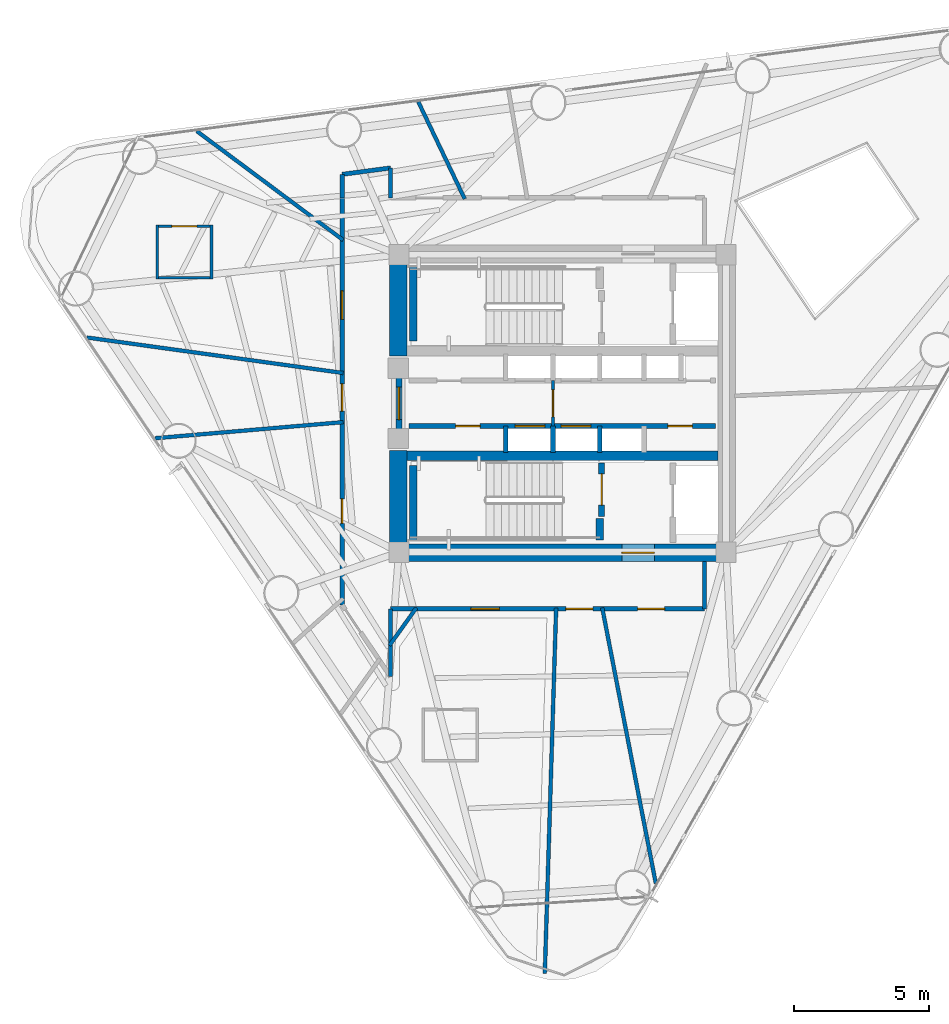
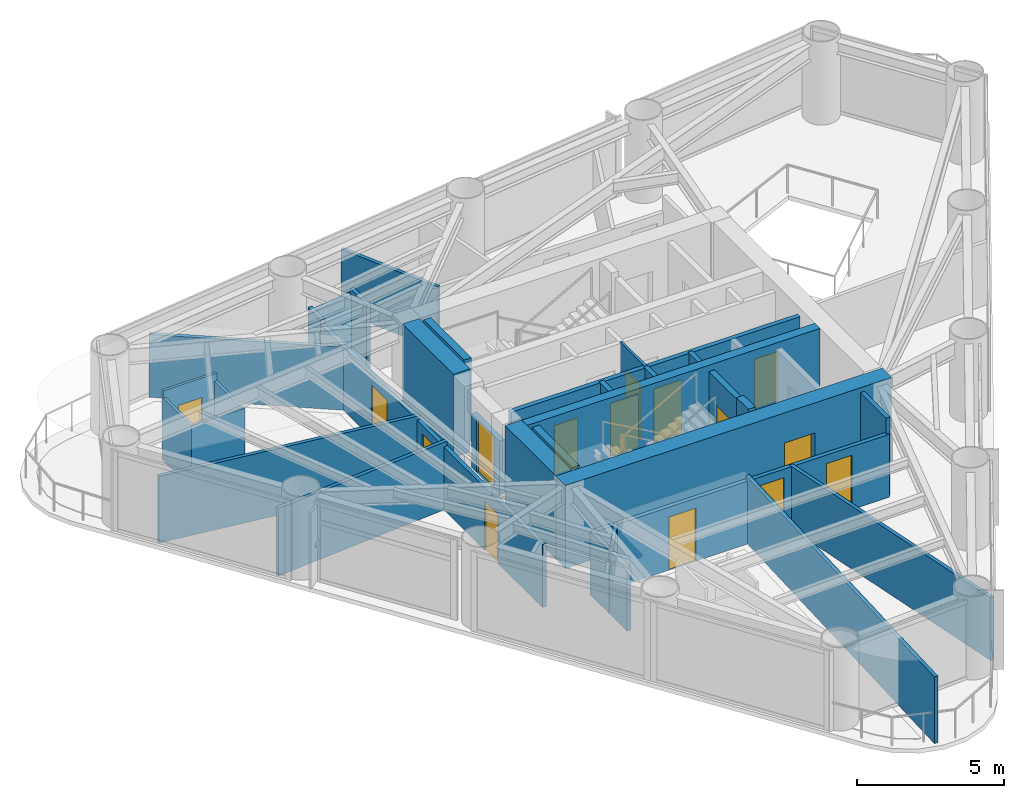
# One storey, part 5 of 9: 32 walls, 15 doors, 15 openings.
"""IFC4 building model written with IfcOpenShell, lengths in metres."""

from ifc_helpers import new_model, si_unit, direction, frame, frame_2d, origin, place, context, subcontext, project, spatial, rectangle, extrude, material, layer, layer_set, type_object, element, fill, save


model = new_model("IFC4")

# Units and contexts
model_context = context("Model", 3, precision=1e-05, world=origin(), true_north=direction((0.0, 1.0)))
body_context = subcontext(model_context, "Body", "Model", "MODEL_VIEW")
ifc_project = project(units=[si_unit("LENGTHUNIT", "METRE"), si_unit("AREAUNIT", "SQUARE_METRE"), si_unit("VOLUMEUNIT", "CUBIC_METRE"), si_unit("PLANEANGLEUNIT", "RADIAN"), si_unit("MASSUNIT", "GRAM", prefix="KILO")], contexts=[model_context])

# Site, building, storey
site_placement = place(None, origin())
site = spatial("IfcSite", under=ifc_project, at=site_placement, CompositionType="ELEMENT")
building_placement = place(site_placement, origin())
building = spatial("IfcBuilding", under=site, at=building_placement, Name="Yunling Apex Tower", CompositionType="ELEMENT")
storey_placement = place(building_placement, frame((0.0, 0.0, 179.449951171875)))
storey = spatial("IfcBuildingStorey", under=building, at=storey_placement, Name="L44", CompositionType="ELEMENT", Elevation=179.449951171875)

# Wall, opening, door
ifc_material_1 = material(Name="Concrete C50", Category="concrete")
ifc_layer_1 = layer(ifc_material_1, 0.64990234375)
ifc_layer_set_1 = layer_set([ifc_layer_1], Name="Concrete C50")
wall_type_1 = type_object("IfcWallType", Name="WL-COR-2", PredefinedType="SHEAR", material=ifc_layer_set_1)
wall_1_placement = place(storey_placement, frame((-6.39990234375, -5.52490234375, 0.0), z_axis=(0.0, 0.0, 1.0), x_axis=(1.0, 0.0, 0.0)))
wall_1 = element("IfcWall", 1, at=wall_1_placement, inside=storey, type_object=wall_type_1, Name="L44 South Core Shear Wall", PredefinedType="SHEAR", context=body_context, shape_type="SweptSolid", body=[
    extrude(rectangle(XDim=12.7998046875, YDim=0.64990234375, at=frame_2d((6.39990234375, 0.0))), origin(), (0.0, 0.0, 1.0), 3.449951171875),
])
opening_1_placement = place(wall_1_placement, frame((8.60009765625, 0.0, 0.0)))
opening_1 = element("IfcOpeningElement", 2, at=opening_1_placement, cuts=wall_1, Name="Opening DR-FFL-1", PredefinedType="OPENING", context=body_context, shape_type="SweptSolid", body=[
    extrude(rectangle(XDim=1.199951171875, YDim=2.199951171875, at=frame_2d((0.60009765625, 1.10009765625))), frame((0.0, 0.3349609375, 0.0), z_axis=(0.0, -1.0, 0.0), x_axis=(1.0, 0.0, 0.0)), (0.0, 0.0, 1.0), 0.669921875),
])
ifc_material_2 = material(Name="Steel Q355B", Category="steel")
door_type_1 = type_object("IfcDoorType", Name="DR-FFL-1", OperationType="NOTDEFINED", PredefinedType="DOOR", material=ifc_material_2)
door_1_placement = place(opening_1_placement, origin())
door_1 = element("IfcDoor", 3, at=door_1_placement, inside=storey, type_object=door_type_1, Name="L44 South Firefighting Lobby Door", OperationType="SINGLE_SWING_RIGHT", OverallHeight=2.199951171875, OverallWidth=1.199951171875, PredefinedType="DOOR", context=body_context, shape_type="SweptSolid", body=[
    extrude(rectangle(XDim=1.199951171875, YDim=2.199951171875, at=frame_2d((0.60009765625, 1.10009765625))), frame((0.0, 0.02490234375, 0.0), z_axis=(0.0, -1.0, 0.0), x_axis=(1.0, 0.0, 0.0)), (0.0, 0.0, 1.0), 0.050048828125),
])
fill(opening_1, door_1)

# Walls
for number, where, z_axis, x_axis, name in (
    (4, (-6.074951171875, -5.199951171875, 0.0), (0.0, 0.0, 1.0), (0.0, 1.0, 0.0), "L44 West-South Core Shear Wall"),
    (5, (-6.074951171875, 1.75, 0.0), (0.0, 0.0, 1.0), (0.0, 1.0, 0.0), "L44 West-North Core Shear Wall"),
):
    element("IfcWall", number, at=place(storey_placement, frame(where, z_axis=z_axis, x_axis=x_axis)), inside=storey, type_object=wall_type_1, Name=name, PredefinedType="SHEAR", context=body_context, shape_type="SweptSolid", body=[
        extrude(rectangle(XDim=3.449951171875, YDim=0.64990234375, at=frame_2d((1.72509765625, 0.0))), origin(), (0.0, 0.0, 1.0), 3.449951171875),
    ])
ifc_material_3 = material(Name="Concrete C40", Category="concrete")
ifc_layer_2 = layer(ifc_material_3, 0.360107421875)
ifc_layer_set_2 = layer_set([ifc_layer_2], Name="Concrete C40")
wall_type_2 = type_object("IfcWallType", Name="WL-COR-4", PredefinedType="SHEAR", material=ifc_layer_set_2)
wall_2_placement = place(storey_placement, frame((-5.75, -1.93994140625, 0.0), z_axis=(0.0, 0.0, 1.0), x_axis=(1.0, 0.0, 0.0)))
element("IfcWall", 6, at=wall_2_placement, inside=storey, type_object=wall_type_2, Name="L44 South Internal Core Shear Wall", PredefinedType="SHEAR", context=body_context, shape_type="SweptSolid", body=[
    extrude(rectangle(XDim=11.5, YDim=0.360107421875, at=frame_2d((5.75, 0.0))), origin(), (0.0, 0.0, 1.0), 3.449951171875),
])
ifc_layer_3 = layer(ifc_material_3, 0.280029296875)
ifc_layer_set_3 = layer_set([ifc_layer_3], Name="Concrete C40")
wall_type_3 = type_object("IfcWallType", Name="WL-COR-8", PredefinedType="SHEAR", material=ifc_layer_set_3)
for number, where, z_axis, x_axis, name in (
    (7, (-5.52001953125, 2.300048828125, 0.0), (0.0, 0.0, 1.0), (0.0, 1.0, 0.0), "L44 ST-1 West Landing Bearing Wall"),
    (8, (-5.52001953125, -5.050048828125, 0.0), (0.0, 0.0, 1.0), (0.0, 1.0, 0.0), "L44 ST-2 West Landing Bearing Wall"),
):
    element("IfcWall", number, at=place(storey_placement, frame(where, z_axis=z_axis, x_axis=x_axis)), inside=storey, type_object=wall_type_3, Name=name, PredefinedType="SHEAR", context=body_context, shape_type="SweptSolid", body=[
        extrude(rectangle(XDim=2.75, YDim=0.280029296875, at=frame_2d((1.375, 0.0))), origin(), (0.0, 0.0, 1.0), 3.449951171875),
    ])
wall_3_placement = place(storey_placement, frame((1.3798828125, -5.050048828125, 0.0), z_axis=(0.0, 0.0, 1.0), x_axis=(0.0, 1.0, 0.0)))
element("IfcWall", 9, at=wall_3_placement, inside=storey, type_object=wall_type_3, Name="L44 ST-2 East Landing Bearing Pier", PredefinedType="SHEAR", context=body_context, shape_type="SweptSolid", body=[
    extrude(rectangle(XDim=0.800048828125, YDim=0.280029296875, at=frame_2d((0.39990234375, 0.0))), origin(), (0.0, 0.0, 1.0), 3.449951171875),
])

# Wall, openings, doors
ifc_material_4 = material(Name="Gypsum board acoustic partition")
ifc_layer_4 = layer(ifc_material_4, 0.159912109375)
ifc_layer_set_4 = layer_set([ifc_layer_4], Name="Gypsum board acoustic partition")
wall_type_4 = type_object("IfcWallType", Name="WL-PRT-1", PredefinedType="PARTITIONING", material=ifc_layer_set_4)
wall_4_placement = place(storey_placement, frame((-8.14990234375, -7.45361328125, 0.0), z_axis=(0.0, 0.0, 1.0), x_axis=(0.0, 1.0, 0.0)))
wall_4 = element("IfcWall", 10, at=wall_4_placement, inside=storey, type_object=wall_type_4, Name="WL-CORR-L44-02", PredefinedType="PARTITIONING", context=body_context, shape_type="SweptSolid", body=[
    extrude(rectangle(XDim=15.0537109375, YDim=0.159912109375, at=frame_2d((7.52685546875, 0.0))), origin(), (0.0, 0.0, 1.0), 2.60498046875),
])
opening_2_placement = place(wall_4_placement, frame((3.018798828125, 0.0, 0.0)))
opening_2 = element("IfcOpeningElement", 11, at=opening_2_placement, cuts=wall_4, Name="Opening DR-SHF-1", PredefinedType="OPENING", context=body_context, shape_type="SweptSolid", body=[
    extrude(rectangle(XDim=0.89990234375, YDim=2.050048828125, at=frame_2d((0.449951171875, 1.02490234375))), frame((0.0, 0.08984375, 0.0), z_axis=(0.0, -1.0, 0.0), x_axis=(1.0, 0.0, 0.0)), (0.0, 0.0, 1.0), 0.179931640625),
])
opening_3_placement = place(wall_4_placement, frame((7.171630859375, 0.0, 0.0)))
opening_3 = element("IfcOpeningElement", 12, at=opening_3_placement, cuts=wall_4, Name="Opening DR-OFF-1", PredefinedType="OPENING", context=body_context, shape_type="SweptSolid", body=[
    extrude(rectangle(XDim=1.0, YDim=2.25, at=frame_2d((0.5, 1.125))), frame((0.0, 0.08984375, 0.0), z_axis=(0.0, -1.0, 0.0), x_axis=(1.0, 0.0, 0.0)), (0.0, 0.0, 1.0), 0.179931640625),
])
opening_4_placement = place(wall_4_placement, frame((10.5634765625, 0.0, 0.0)))
opening_4 = element("IfcOpeningElement", 13, at=opening_4_placement, cuts=wall_4, Name="Opening DR-FL-1", PredefinedType="OPENING", context=body_context, shape_type="SweptSolid", body=[
    extrude(rectangle(XDim=1.050048828125, YDim=2.199951171875, at=frame_2d((0.52490234375, 1.10009765625))), frame((0.0, 0.08984375, 0.0), z_axis=(0.0, -1.0, 0.0), x_axis=(1.0, 0.0, 0.0)), (0.0, 0.0, 1.0), 0.179931640625),
])
ifc_material_5 = material(Name="Timber fire-rated leaf", Category="wood")
door_type_2 = type_object("IfcDoorType", Name="DR-FL-1", OperationType="NOTDEFINED", PredefinedType="DOOR", material=ifc_material_5)
door_2_placement = place(opening_4_placement, origin())
door_2 = element("IfcDoor", 14, at=door_2_placement, inside=storey, type_object=door_type_2, Name="L44 Hotel Suite Door", OperationType="SINGLE_SWING_LEFT", OverallHeight=2.199951171875, OverallWidth=1.050048828125, PredefinedType="DOOR", context=body_context, shape_type="SweptSolid", body=[
    extrude(rectangle(XDim=1.050048828125, YDim=2.199951171875, at=frame_2d((0.52490234375, 1.10009765625))), frame((0.0, 0.02490234375, 0.0), z_axis=(0.0, -1.0, 0.0), x_axis=(1.0, 0.0, 0.0)), (0.0, 0.0, 1.0), 0.050048828125),
])
fill(opening_4, door_2)
ifc_material_6 = material(Name="Bronze anodised aluminium", Category="aluminium")
door_type_3 = type_object("IfcDoorType", Name="DR-OFF-1", OperationType="NOTDEFINED", PredefinedType="DOOR", material=ifc_material_6)
door_3_placement = place(opening_3_placement, origin())
door_3 = element("IfcDoor", 15, at=door_3_placement, inside=storey, type_object=door_type_3, Name="L44 Club Lounge Door", OperationType="SINGLE_SWING_RIGHT", OverallHeight=2.25, OverallWidth=1.0, PredefinedType="DOOR", context=body_context, shape_type="SweptSolid", body=[
    extrude(rectangle(XDim=1.0, YDim=2.25, at=frame_2d((0.5, 1.125))), frame((0.0, 0.02490234375, 0.0), z_axis=(0.0, -1.0, 0.0), x_axis=(1.0, 0.0, 0.0)), (0.0, 0.0, 1.0), 0.050048828125),
])
fill(opening_3, door_3)
door_type_4 = type_object("IfcDoorType", Name="DR-SHF-1", OperationType="NOTDEFINED", PredefinedType="DOOR", material=ifc_material_2)
door_4_placement = place(opening_2_placement, origin())
door_4 = element("IfcDoor", 16, at=door_4_placement, inside=storey, type_object=door_type_4, Name="L44 Housekeeping Room Door", OperationType="SINGLE_SWING_LEFT", OverallHeight=2.050048828125, OverallWidth=0.89990234375, PredefinedType="DOOR", context=body_context, shape_type="SweptSolid", body=[
    extrude(rectangle(XDim=0.89990234375, YDim=2.050048828125, at=frame_2d((0.449951171875, 1.02490234375))), frame((0.0, 0.02490234375, 0.0), z_axis=(0.0, -1.0, 0.0), x_axis=(1.0, 0.0, 0.0)), (0.0, 0.0, 1.0), 0.050048828125),
])
fill(opening_2, door_4)

# Walls
wall_5_placement = place(storey_placement, frame((-8.14990234375, 7.60009765625, 0.0), z_axis=(0.0, 0.0, 1.0), x_axis=(0.0, 1.0, 0.0)))
element("IfcWall", 17, at=wall_5_placement, inside=storey, type_object=wall_type_4, Name="WL-CORR-L44-03", PredefinedType="PARTITIONING", context=body_context, shape_type="SweptSolid", body=[
    extrude(rectangle(XDim=0.870361328125, YDim=0.159912109375, at=frame_2d((0.43505859375, 0.0))), origin(), (0.0, 0.0, 1.0), 2.804931640625),
])
wall_6_placement = place(storey_placement, frame((-8.14990234375, 8.470458984375, 0.0), z_axis=(0.0, 0.0, 1.0), x_axis=(0.991342086618, 0.131304483168, 0.0)))
element("IfcWall", 18, at=wall_6_placement, inside=storey, type_object=wall_type_4, Name="WL-CORR-L44-04", PredefinedType="PARTITIONING", context=body_context, shape_type="SweptSolid", body=[
    extrude(rectangle(XDim=1.805419921875, YDim=0.159912109375, at=frame_2d((0.90283203125, 0.0))), origin(), (0.0, 0.0, 1.0), 2.60498046875),
])
wall_7_placement = place(storey_placement, frame((-6.360107421875, 8.70751953125, 0.0), z_axis=(0.0, 0.0, 1.0), x_axis=(0.0, -1.0, 0.0)))
element("IfcWall", 19, at=wall_7_placement, inside=storey, type_object=wall_type_4, Name="WL-CORR-L44-05", PredefinedType="PARTITIONING", context=body_context, shape_type="SweptSolid", body=[
    extrude(rectangle(XDim=1.107421875, YDim=0.159912109375, at=frame_2d((0.5537109375, 0.0))), origin(), (0.0, 0.0, 1.0), 2.804931640625),
])
wall_8_placement = place(storey_placement, frame((5.25, -5.85009765625, 0.0), z_axis=(0.0, 0.0, 1.0), x_axis=(0.0, -1.0, 0.0)))
element("IfcWall", 20, at=wall_8_placement, inside=storey, type_object=wall_type_4, Name="WL-CORR-L44-08", PredefinedType="PARTITIONING", context=body_context, shape_type="SweptSolid", body=[
    extrude(rectangle(XDim=1.75, YDim=0.159912109375, at=frame_2d((0.875, 0.0))), origin(), (0.0, 0.0, 1.0), 3.25),
])

# Wall, openings, doors
wall_9_placement = place(storey_placement, frame((5.25, -7.60009765625, 0.0), z_axis=(0.0, 0.0, 1.0), x_axis=(-1.0, 0.0, 0.0)))
wall_9 = element("IfcWall", 21, at=wall_9_placement, inside=storey, type_object=wall_type_4, Name="WL-CORR-L44-09", PredefinedType="PARTITIONING", context=body_context, shape_type="SweptSolid", body=[
    extrude(rectangle(XDim=11.610107421875, YDim=0.159912109375, at=frame_2d((5.80517578125, 0.0))), origin(), (0.0, 0.0, 1.0), 2.60498046875),
])
opening_5_placement = place(wall_9_placement, frame((1.471923828125, 0.0, 0.0)))
opening_5 = element("IfcOpeningElement", 22, at=opening_5_placement, cuts=wall_9, Name="Opening DR-OFF-1", PredefinedType="OPENING", context=body_context, shape_type="SweptSolid", body=[
    extrude(rectangle(XDim=1.0, YDim=2.25, at=frame_2d((0.5, 1.125))), frame((0.0, 0.08984375, 0.0), z_axis=(0.0, -1.0, 0.0), x_axis=(1.0, 0.0, 0.0)), (0.0, 0.0, 1.0), 0.179931640625),
])
opening_6_placement = place(wall_9_placement, frame((4.123046875, 0.0, 0.0)))
opening_6 = element("IfcOpeningElement", 23, at=opening_6_placement, cuts=wall_9, Name="Opening DR-OFF-1", PredefinedType="OPENING", context=body_context, shape_type="SweptSolid", body=[
    extrude(rectangle(XDim=1.0, YDim=2.25, at=frame_2d((0.5, 1.125))), frame((0.0, 0.08984375, 0.0), z_axis=(0.0, -1.0, 0.0), x_axis=(1.0, 0.0, 0.0)), (0.0, 0.0, 1.0), 0.179931640625),
])
opening_7_placement = place(wall_9_placement, frame((7.589111328125, 0.0, 0.0)))
opening_7 = element("IfcOpeningElement", 24, at=opening_7_placement, cuts=wall_9, Name="Opening DR-FL-1", PredefinedType="OPENING", context=body_context, shape_type="SweptSolid", body=[
    extrude(rectangle(XDim=1.050048828125, YDim=2.199951171875, at=frame_2d((0.52490234375, 1.10009765625))), frame((0.0, 0.08984375, 0.0), z_axis=(0.0, -1.0, 0.0), x_axis=(1.0, 0.0, 0.0)), (0.0, 0.0, 1.0), 0.179931640625),
])
door_5_placement = place(opening_7_placement, origin())
door_5 = element("IfcDoor", 25, at=door_5_placement, inside=storey, type_object=door_type_2, Name="L44 Hotel Suite Door", OperationType="SINGLE_SWING_RIGHT", OverallHeight=2.199951171875, OverallWidth=1.050048828125, PredefinedType="DOOR", context=body_context, shape_type="SweptSolid", body=[
    extrude(rectangle(XDim=1.050048828125, YDim=2.199951171875, at=frame_2d((0.52490234375, 1.10009765625))), frame((0.0, 0.02490234375, 0.0), z_axis=(0.0, -1.0, 0.0), x_axis=(1.0, 0.0, 0.0)), (0.0, 0.0, 1.0), 0.050048828125),
])
fill(opening_7, door_5)
door_6_placement = place(opening_5_placement, origin())
door_6 = element("IfcDoor", 26, at=door_6_placement, inside=storey, type_object=door_type_3, Name="L44 Club Lounge Door", OperationType="SINGLE_SWING_RIGHT", OverallHeight=2.25, OverallWidth=1.0, PredefinedType="DOOR", context=body_context, shape_type="SweptSolid", body=[
    extrude(rectangle(XDim=1.0, YDim=2.25, at=frame_2d((0.5, 1.125))), frame((0.0, 0.02490234375, 0.0), z_axis=(0.0, -1.0, 0.0), x_axis=(1.0, 0.0, 0.0)), (0.0, 0.0, 1.0), 0.050048828125),
])
fill(opening_5, door_6)
door_7_placement = place(opening_6_placement, origin())
door_7 = element("IfcDoor", 27, at=door_7_placement, inside=storey, type_object=door_type_3, Name="L44 Club Lounge Door", OperationType="SINGLE_SWING_LEFT", OverallHeight=2.25, OverallWidth=1.0, PredefinedType="DOOR", context=body_context, shape_type="SweptSolid", body=[
    extrude(rectangle(XDim=1.0, YDim=2.25, at=frame_2d((0.5, 1.125))), frame((0.0, 0.02490234375, 0.0), z_axis=(0.0, -1.0, 0.0), x_axis=(1.0, 0.0, 0.0)), (0.0, 0.0, 1.0), 0.050048828125),
])
fill(opening_6, door_7)

# Walls
wall_10_placement = place(storey_placement, frame((-6.360107421875, -7.60009765625, 0.0), z_axis=(0.0, 0.0, 1.0), x_axis=(0.0, -1.0, 0.0)))
element("IfcWall", 28, at=wall_10_placement, inside=storey, type_object=wall_type_4, Name="WL-CORR-L44-10", PredefinedType="PARTITIONING", context=body_context, shape_type="SweptSolid", body=[
    extrude(rectangle(XDim=2.50732421875, YDim=0.159912109375, at=frame_2d((1.253662109375, 0.0))), origin(), (0.0, 0.0, 1.0), 2.60498046875),
])
ifc_layer_5 = layer(ifc_material_4, 0.139892578125)
ifc_layer_set_5 = layer_set([ifc_layer_5], Name="Gypsum board acoustic partition")
wall_type_5 = type_object("IfcWallType", Name="WL-PRT-2", PredefinedType="PARTITIONING", material=ifc_layer_set_5)
wall_11_placement = place(storey_placement, frame((-3.614990234375, 7.56005859375, 0.0), z_axis=(0.0, 0.0, 1.0), x_axis=(-0.431353551372, 0.902182971308, 0.0)))
element("IfcWall", 29, at=wall_11_placement, inside=storey, type_object=wall_type_5, Name="WL-RAD-L44-04", PredefinedType="PARTITIONING", context=body_context, shape_type="SweptSolid", body=[
    extrude(rectangle(XDim=3.98291015625, YDim=0.139892578125, at=frame_2d((1.991455078125, 0.0))), origin(), (0.0, 0.0, 1.0), 2.60498046875),
])
wall_12_placement = place(storey_placement, frame((-8.110107421875, 6.03759765625, 0.0), z_axis=(0.0, 0.0, 1.0), x_axis=(-0.802099870975, 0.597189917012, 0.0)))
element("IfcWall", 30, at=wall_12_placement, inside=storey, type_object=wall_type_5, Name="WL-RAD-L44-05", PredefinedType="PARTITIONING", context=body_context, shape_type="SweptSolid", body=[
    extrude(rectangle(XDim=6.750732421875, YDim=0.139892578125, at=frame_2d((3.37548828125, 0.0))), origin(), (0.0, 0.0, 1.0), 2.60498046875),
])
wall_13_placement = place(storey_placement, frame((-8.110107421875, 1.123779296875, 0.0), z_axis=(0.0, 0.0, 1.0), x_axis=(-0.990537537155, 0.137242076229, 0.0)))
element("IfcWall", 31, at=wall_13_placement, inside=storey, type_object=wall_type_5, Name="WL-RAD-L44-06", PredefinedType="PARTITIONING", context=body_context, shape_type="SweptSolid", body=[
    extrude(rectangle(XDim=9.5634765625, YDim=0.139892578125, at=frame_2d((4.78173828125, 0.0))), origin(), (0.0, 0.0, 1.0), 2.76513671875),
])
wall_14_placement = place(storey_placement, frame((-8.110107421875, -0.693603515625, 0.0), z_axis=(0.0, 0.0, 1.0), x_axis=(-0.996360400447, -0.085240556199, 0.0)))
element("IfcWall", 32, at=wall_14_placement, inside=storey, type_object=wall_type_5, Name="WL-RAD-L44-07", PredefinedType="PARTITIONING", context=body_context, shape_type="SweptSolid", body=[
    extrude(rectangle(XDim=6.985595703125, YDim=0.139892578125, at=frame_2d((3.49267578125, 0.0))), origin(), (0.0, 0.0, 1.0), 2.804931640625),
])
wall_15_placement = place(storey_placement, frame((-5.403564453125, -7.56005859375, 0.0), z_axis=(0.0, 0.0, 1.0), x_axis=(-0.581467296449, -0.813569777683, 0.0)))
element("IfcWall", 33, at=wall_15_placement, inside=storey, type_object=wall_type_5, Name="WL-RAD-L44-09", PredefinedType="PARTITIONING", context=body_context, shape_type="SweptSolid", body=[
    extrude(rectangle(XDim=1.71337890625, YDim=0.139892578125, at=frame_2d((0.856689453125, 0.0))), origin(), (0.0, 0.0, 1.0), 2.60498046875),
])
wall_16_placement = place(storey_placement, frame((-0.234619140625, -7.56005859375, 0.0), z_axis=(0.0, 0.0, 1.0), x_axis=(-0.031020231712, -0.999518756815, 0.0)))
element("IfcWall", 34, at=wall_16_placement, inside=storey, type_object=wall_type_5, Name="WL-RAD-L44-11", PredefinedType="PARTITIONING", context=body_context, shape_type="SweptSolid", body=[
    extrude(rectangle(XDim=13.537109375, YDim=0.139892578125, at=frame_2d((6.7685546875, 0.0))), origin(), (0.0, 0.0, 1.0), 2.76513671875),
])
wall_17_placement = place(storey_placement, frame((1.469482421875, -7.56005859375, 0.0), z_axis=(0.0, 0.0, 1.0), x_axis=(0.190824358974, -0.981624196942, 0.0)))
element("IfcWall", 35, at=wall_17_placement, inside=storey, type_object=wall_type_5, Name="WL-RAD-L44-12", PredefinedType="PARTITIONING", context=body_context, shape_type="SweptSolid", body=[
    extrude(rectangle(XDim=10.38623046875, YDim=0.139892578125, at=frame_2d((5.193115234375, 0.0))), origin(), (0.0, 0.0, 1.0), 2.60498046875),
])

# Wall, opening, door
ifc_layer_6 = layer(ifc_material_4, 0.10009765625)
ifc_layer_set_6 = layer_set([ifc_layer_6], Name="Gypsum board acoustic partition")
wall_type_6 = type_object("IfcWallType", Name="WL-PRT-4", PredefinedType="PARTITIONING", material=ifc_layer_set_6)
wall_18_placement = place(storey_placement, frame((-0.35009765625, -0.840087890625, 0.0), z_axis=(0.0, 0.0, 1.0), x_axis=(0.0, 1.0, 0.0)))
wall_18 = element("IfcWall", 36, at=wall_18_placement, inside=storey, type_object=wall_type_6, Name="WL-LOB-MID-L44", PredefinedType="PARTITIONING", context=body_context, shape_type="SweptSolid", body=[
    extrude(rectangle(XDim=1.68017578125, YDim=0.10009765625, at=frame_2d((0.840087890625, 0.0))), origin(), (0.0, 0.0, 1.0), 3.25),
])
opening_8_placement = place(wall_18_placement, frame((0.340087890625, 0.0, 0.0)))
opening_8 = element("IfcOpeningElement", 37, at=opening_8_placement, cuts=wall_18, Name="Opening DR-OFF-1", PredefinedType="OPENING", context=body_context, shape_type="SweptSolid", body=[
    extrude(rectangle(XDim=1.0, YDim=2.25, at=frame_2d((0.5, 1.125))), frame((0.0, 0.06005859375, 0.0), z_axis=(0.0, -1.0, 0.0), x_axis=(1.0, 0.0, 0.0)), (0.0, 0.0, 1.0), 0.1201171875),
])
door_8_placement = place(opening_8_placement, origin())
door_8 = element("IfcDoor", 38, at=door_8_placement, inside=storey, type_object=door_type_3, Name="L44 Core Lobby Link Door", OperationType="SINGLE_SWING_LEFT", OverallHeight=2.25, OverallWidth=1.0, PredefinedType="DOOR", context=body_context, shape_type="SweptSolid", body=[
    extrude(rectangle(XDim=1.0, YDim=2.25, at=frame_2d((0.5, 1.125))), frame((0.0, 0.02490234375, 0.0), z_axis=(0.0, -1.0, 0.0), x_axis=(1.0, 0.0, 0.0)), (0.0, 0.0, 1.0), 0.050048828125),
])
fill(opening_8, door_8)

wall_19_placement = place(storey_placement, frame((-15.031982421875, 6.551025390625, 0.0), z_axis=(0.0, 0.0, 1.0), x_axis=(1.0, 0.0, 0.0)))
wall_19 = element("IfcWall", 39, at=wall_19_placement, inside=storey, type_object=wall_type_6, Name="WL-ENS-L44-10N", PredefinedType="PARTITIONING", context=body_context, shape_type="SweptSolid", body=[
    extrude(rectangle(XDim=2.10009765625, YDim=0.10009765625, at=frame_2d((1.050048828125, 0.0))), origin(), (0.0, 0.0, 1.0), 2.905029296875),
])
opening_9_placement = place(wall_19_placement, frame((0.590087890625, 0.0, 0.0)))
opening_9 = element("IfcOpeningElement", 40, at=opening_9_placement, cuts=wall_19, Name="Opening DR-WC-1", PredefinedType="OPENING", context=body_context, shape_type="SweptSolid", body=[
    extrude(rectangle(XDim=0.919921875, YDim=2.10009765625, at=frame_2d((0.4599609375, 1.050048828125))), frame((0.0, 0.06005859375, 0.0), z_axis=(0.0, -1.0, 0.0), x_axis=(1.0, 0.0, 0.0)), (0.0, 0.0, 1.0), 0.1201171875),
])
ifc_material_7 = material(Name="Timber moisture-resistant leaf", Category="wood")
door_type_5 = type_object("IfcDoorType", Name="DR-WC-1", OperationType="NOTDEFINED", PredefinedType="DOOR", material=ifc_material_7)
door_9_placement = place(opening_9_placement, origin())
door_9 = element("IfcDoor", 41, at=door_9_placement, inside=storey, type_object=door_type_5, Name="L44 En-Suite Door", OperationType="SINGLE_SWING_LEFT", OverallHeight=2.10009765625, OverallWidth=0.919921875, PredefinedType="DOOR", context=body_context, shape_type="SweptSolid", body=[
    extrude(rectangle(XDim=0.919921875, YDim=2.10009765625, at=frame_2d((0.4599609375, 1.050048828125))), frame((0.0, 0.02490234375, 0.0), z_axis=(0.0, -1.0, 0.0), x_axis=(1.0, 0.0, 0.0)), (0.0, 0.0, 1.0), 0.050048828125),
])
fill(opening_9, door_9)

# Walls
wall_20_placement = place(storey_placement, frame((-12.931884765625, 4.65087890625, 0.0), z_axis=(0.0, 0.0, 1.0), x_axis=(-1.0, 0.0, 0.0)))
element("IfcWall", 42, at=wall_20_placement, inside=storey, type_object=wall_type_6, Name="WL-ENS-L44-10S", PredefinedType="PARTITIONING", context=body_context, shape_type="SweptSolid", body=[
    extrude(rectangle(XDim=2.10009765625, YDim=0.10009765625, at=frame_2d((1.050048828125, 0.0))), origin(), (0.0, 0.0, 1.0), 2.60498046875),
])
for number, where, z_axis, x_axis, name in (
    (43, (-12.98193359375, 6.60107421875, 0.0), (0.0, 0.0, 1.0), (0.0, -1.0, 0.0), "WL-ENS-L44-10E"),
    (44, (-14.98193359375, 4.60107421875, 0.0), (0.0, 0.0, 1.0), (0.0, 1.0, 0.0), "WL-ENS-L44-10W"),
):
    element("IfcWall", number, at=place(storey_placement, frame(where, z_axis=z_axis, x_axis=x_axis)), inside=storey, type_object=wall_type_6, Name=name, PredefinedType="PARTITIONING", context=body_context, shape_type="SweptSolid", body=[
        extrude(rectangle(XDim=2.0, YDim=0.10009765625, at=frame_2d((1.0, 0.0))), origin(), (0.0, 0.0, 1.0), 2.60498046875),
    ])

# Wall, opening, door
ifc_material_8 = material(Name="Autoclaved aerated concrete masonry", Category="masonry")
ifc_layer_7 = layer(ifc_material_8, 0.219970703125)
ifc_layer_set_7 = layer_set([ifc_layer_7], Name="Autoclaved aerated concrete masonry")
wall_type_7 = type_object("IfcWallType", Name="WL-SHF-1", PredefinedType="PLUMBINGWALL", material=ifc_layer_set_7)
wall_21_placement = place(storey_placement, frame((-6.050048828125, -0.949951171875, 0.0), z_axis=(0.0, 0.0, 1.0), x_axis=(0.0, 1.0, 0.0)))
wall_21 = element("IfcWall", 45, at=wall_21_placement, inside=storey, type_object=wall_type_7, Name="WL-COR-WPORT-L44", PredefinedType="PLUMBINGWALL", context=body_context, shape_type="SweptSolid", body=[
    extrude(rectangle(XDim=1.89990234375, YDim=0.219970703125, at=frame_2d((0.949951171875, 0.0))), origin(), (0.0, 0.0, 1.0), 2.22998046875),
])
opening_10_placement = place(wall_21_placement, frame((0.35009765625, 0.0, 0.0)))
opening_10 = element("IfcOpeningElement", 46, at=opening_10_placement, cuts=wall_21, Name="Opening DR-FFL-1", PredefinedType="OPENING", context=body_context, shape_type="SweptSolid", body=[
    extrude(rectangle(XDim=1.199951171875, YDim=2.199951171875, at=frame_2d((0.60009765625, 1.10009765625))), frame((0.0, 0.1201171875, 0.0), z_axis=(0.0, -1.0, 0.0), x_axis=(1.0, 0.0, 0.0)), (0.0, 0.0, 1.0), 0.239990234375),
])
door_10_placement = place(opening_10_placement, origin())
door_10 = element("IfcDoor", 47, at=door_10_placement, inside=storey, type_object=door_type_1, Name="L44 Passenger Lift Lobby Entrance Door", OperationType="SINGLE_SWING_RIGHT", OverallHeight=2.199951171875, OverallWidth=1.199951171875, PredefinedType="DOOR", context=body_context, shape_type="SweptSolid", body=[
    extrude(rectangle(XDim=1.199951171875, YDim=2.199951171875, at=frame_2d((0.60009765625, 1.10009765625))), frame((0.0, 0.02490234375, 0.0), z_axis=(0.0, -1.0, 0.0), x_axis=(1.0, 0.0, 0.0)), (0.0, 0.0, 1.0), 0.050048828125),
])
fill(opening_10, door_10)

wall_22_placement = place(storey_placement, frame((1.449951171875, -4.179931640625, 0.0), z_axis=(0.0, 0.0, 1.0), x_axis=(0.0, 1.0, 0.0)))
wall_22 = element("IfcWall", 48, at=wall_22_placement, inside=storey, type_object=wall_type_7, Name="WL-ST2-E-L44", PredefinedType="PLUMBINGWALL", context=body_context, shape_type="SweptSolid", body=[
    extrude(rectangle(XDim=1.97998046875, YDim=0.219970703125, at=frame_2d((0.989990234375, 0.0))), origin(), (0.0, 0.0, 1.0), 3.25),
])
opening_11_placement = place(wall_22_placement, frame((0.419921875, 0.0, 0.0)))
opening_11 = element("IfcOpeningElement", 49, at=opening_11_placement, cuts=wall_22, Name="Opening DR-ST-1", PredefinedType="OPENING", context=body_context, shape_type="SweptSolid", body=[
    extrude(rectangle(XDim=1.14990234375, YDim=2.14990234375, at=frame_2d((0.574951171875, 1.074951171875))), frame((0.0, 0.1201171875, 0.0), z_axis=(0.0, -1.0, 0.0), x_axis=(1.0, 0.0, 0.0)), (0.0, 0.0, 1.0), 0.239990234375),
])
door_type_6 = type_object("IfcDoorType", Name="DR-ST-1", OperationType="NOTDEFINED", PredefinedType="DOOR", material=ifc_material_2)
door_11_placement = place(opening_11_placement, origin())
door_11 = element("IfcDoor", 50, at=door_11_placement, inside=storey, type_object=door_type_6, Name="L44 Stair ST-2 Fire Door", OperationType="SINGLE_SWING_RIGHT", OverallHeight=2.14990234375, OverallWidth=1.14990234375, PredefinedType="DOOR", context=body_context, shape_type="SweptSolid", body=[
    extrude(rectangle(XDim=1.14990234375, YDim=2.14990234375, at=frame_2d((0.574951171875, 1.074951171875))), frame((0.0, 0.02490234375, 0.0), z_axis=(0.0, -1.0, 0.0), x_axis=(1.0, 0.0, 0.0)), (0.0, 0.0, 1.0), 0.050048828125),
])
fill(opening_11, door_11)

# Walls
ifc_layer_8 = layer(ifc_material_8, 0.179931640625)
ifc_layer_set_8 = layer_set([ifc_layer_8], Name="Autoclaved aerated concrete masonry")
wall_type_8 = type_object("IfcWallType", Name="WL-SHF-2", PredefinedType="PLUMBINGWALL", material=ifc_layer_set_8)
for number, where, z_axis, x_axis, name in (
    (51, (-2.10009765625, -1.820068359375, 0.0), (0.0, 0.0, 1.0), (0.0, 1.0, 0.0), "WL-BNK-LM-S-L44"),
    (52, (-0.35009765625, -1.820068359375, 0.0), (0.0, 0.0, 1.0), (0.0, 1.0, 0.0), "WL-DIV-M34-L44"),
    (53, (1.3798828125, -1.820068359375, 0.0), (0.0, 0.0, 1.0), (0.0, 1.0, 0.0), "WL-BNK-MH-S-L44"),
):
    element("IfcWall", number, at=place(storey_placement, frame(where, z_axis=z_axis, x_axis=x_axis)), inside=storey, type_object=wall_type_8, Name=name, PredefinedType="PLUMBINGWALL", context=body_context, shape_type="SweptSolid", body=[
        extrude(rectangle(XDim=0.97998046875, YDim=0.179931640625, at=frame_2d((0.489990234375, 0.0))), origin(), (0.0, 0.0, 1.0), 3.25),
    ])

# Wall, openings, doors
wall_23_placement = place(storey_placement, frame((-5.679931640625, -0.840087890625, 0.0), z_axis=(0.0, 0.0, 1.0), x_axis=(1.0, 0.0, 0.0)))
wall_23 = element("IfcWall", 54, at=wall_23_placement, inside=storey, type_object=wall_type_8, Name="WL-LOB-S-L44", PredefinedType="PLUMBINGWALL", context=body_context, shape_type="SweptSolid", body=[
    extrude(rectangle(XDim=11.329833984375, YDim=0.179931640625, at=frame_2d((5.6650390625, 0.0))), origin(), (0.0, 0.0, 1.0), 3.25),
])
opening_12_placement = place(wall_23_placement, frame((1.72998046875, 0.0, 0.0)))
opening_12 = element("IfcOpeningElement", 55, at=opening_12_placement, cuts=wall_23, Name="Opening DR-SHF-1", PredefinedType="OPENING", context=body_context, shape_type="SweptSolid", body=[
    extrude(rectangle(XDim=0.89990234375, YDim=2.050048828125, at=frame_2d((0.449951171875, 1.02490234375))), frame((0.0, 0.10009765625, 0.0), z_axis=(0.0, -1.0, 0.0), x_axis=(1.0, 0.0, 0.0)), (0.0, 0.0, 1.0), 0.199951171875),
])
opening_13_placement = place(wall_23_placement, frame((3.929931640625, 0.0, 0.0)))
opening_13 = element("IfcOpeningElement", 56, at=opening_13_placement, cuts=wall_23, Name="Opening LD-PAS-1", PredefinedType="OPENING", context=body_context, shape_type="SweptSolid", body=[
    extrude(rectangle(XDim=1.10009765625, YDim=2.199951171875, at=frame_2d((0.550048828125, 1.10009765625))), frame((0.0, 0.10009765625, 0.0), z_axis=(0.0, -1.0, 0.0), x_axis=(1.0, 0.0, 0.0)), (0.0, 0.0, 1.0), 0.199951171875),
])
opening_14_placement = place(wall_23_placement, frame((5.6298828125, 0.0, 0.0)))
opening_14 = element("IfcOpeningElement", 57, at=opening_14_placement, cuts=wall_23, Name="Opening LD-PAS-1", PredefinedType="OPENING", context=body_context, shape_type="SweptSolid", body=[
    extrude(rectangle(XDim=1.10009765625, YDim=2.199951171875, at=frame_2d((0.550048828125, 1.10009765625))), frame((0.0, 0.10009765625, 0.0), z_axis=(0.0, -1.0, 0.0), x_axis=(1.0, 0.0, 0.0)), (0.0, 0.0, 1.0), 0.199951171875),
])
opening_15_placement = place(wall_23_placement, frame((9.580078125, 0.0, 0.0)))
opening_15 = element("IfcOpeningElement", 58, at=opening_15_placement, cuts=wall_23, Name="Opening DR-SHF-1", PredefinedType="OPENING", context=body_context, shape_type="SweptSolid", body=[
    extrude(rectangle(XDim=0.89990234375, YDim=2.050048828125, at=frame_2d((0.449951171875, 1.02490234375))), frame((0.0, 0.10009765625, 0.0), z_axis=(0.0, -1.0, 0.0), x_axis=(1.0, 0.0, 0.0)), (0.0, 0.0, 1.0), 0.199951171875),
])
door_12_placement = place(opening_12_placement, origin())
door_12 = element("IfcDoor", 59, at=door_12_placement, inside=storey, type_object=door_type_4, Name="L44 Cleaners Store Door", OperationType="SINGLE_SWING_RIGHT", OverallHeight=2.050048828125, OverallWidth=0.89990234375, PredefinedType="DOOR", context=body_context, shape_type="SweptSolid", body=[
    extrude(rectangle(XDim=0.89990234375, YDim=2.050048828125, at=frame_2d((0.449951171875, 1.02490234375))), frame((0.0, 0.02490234375, 0.0), z_axis=(0.0, -1.0, 0.0), x_axis=(1.0, 0.0, 0.0)), (0.0, 0.0, 1.0), 0.050048828125),
])
fill(opening_12, door_12)
door_13_placement = place(opening_15_placement, origin())
door_13 = element("IfcDoor", 60, at=door_13_placement, inside=storey, type_object=door_type_4, Name="L44 Core MEP Service Door", OperationType="SINGLE_SWING_LEFT", OverallHeight=2.050048828125, OverallWidth=0.89990234375, PredefinedType="DOOR", context=body_context, shape_type="SweptSolid", body=[
    extrude(rectangle(XDim=0.89990234375, YDim=2.050048828125, at=frame_2d((0.449951171875, 1.02490234375))), frame((0.0, 0.02490234375, 0.0), z_axis=(0.0, -1.0, 0.0), x_axis=(1.0, 0.0, 0.0)), (0.0, 0.0, 1.0), 0.050048828125),
])
fill(opening_15, door_13)
ifc_material_9 = material(Name="Silver anodised aluminium", Category="aluminium")
door_type_7 = type_object("IfcDoorType", Name="LD-PAS-1", OperationType="DOUBLE_DOOR_SLIDING", PredefinedType="DOOR", material=ifc_material_9)
door_14_placement = place(opening_13_placement, origin())
door_14 = element("IfcDoor", 61, at=door_14_placement, inside=storey, type_object=door_type_7, Name="L44 Lift PL-M3 Landing Door", OperationType="DOUBLE_DOOR_SLIDING", OverallHeight=2.199951171875, OverallWidth=1.10009765625, PredefinedType="DOOR", context=body_context, shape_type="SweptSolid", body=[
    extrude(rectangle(XDim=1.10009765625, YDim=2.199951171875, at=frame_2d((0.550048828125, 1.10009765625))), frame((0.0, 0.02490234375, 0.0), z_axis=(0.0, -1.0, 0.0), x_axis=(1.0, 0.0, 0.0)), (0.0, 0.0, 1.0), 0.050048828125),
])
fill(opening_13, door_14)
door_15_placement = place(opening_14_placement, origin())
door_15 = element("IfcDoor", 62, at=door_15_placement, inside=storey, type_object=door_type_7, Name="L44 Lift PL-M4 Landing Door", OperationType="DOUBLE_DOOR_SLIDING", OverallHeight=2.199951171875, OverallWidth=1.10009765625, PredefinedType="DOOR", context=body_context, shape_type="SweptSolid", body=[
    extrude(rectangle(XDim=1.10009765625, YDim=2.199951171875, at=frame_2d((0.550048828125, 1.10009765625))), frame((0.0, 0.02490234375, 0.0), z_axis=(0.0, -1.0, 0.0), x_axis=(1.0, 0.0, 0.0)), (0.0, 0.0, 1.0), 0.050048828125),
])
fill(opening_14, door_15)

save(model, "model.ifc")
